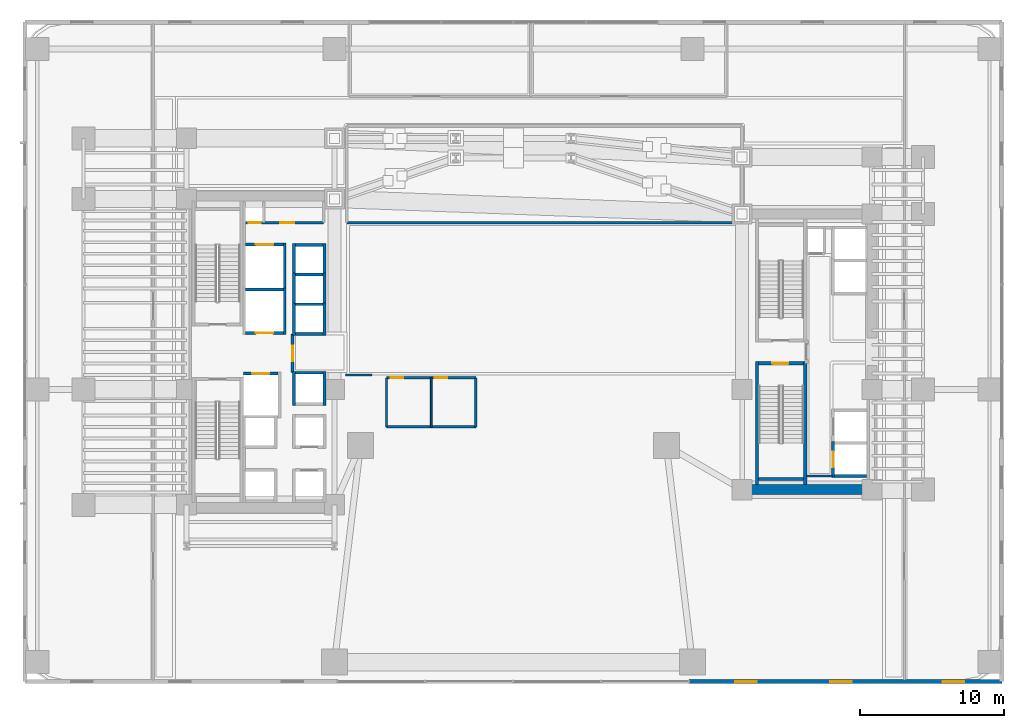
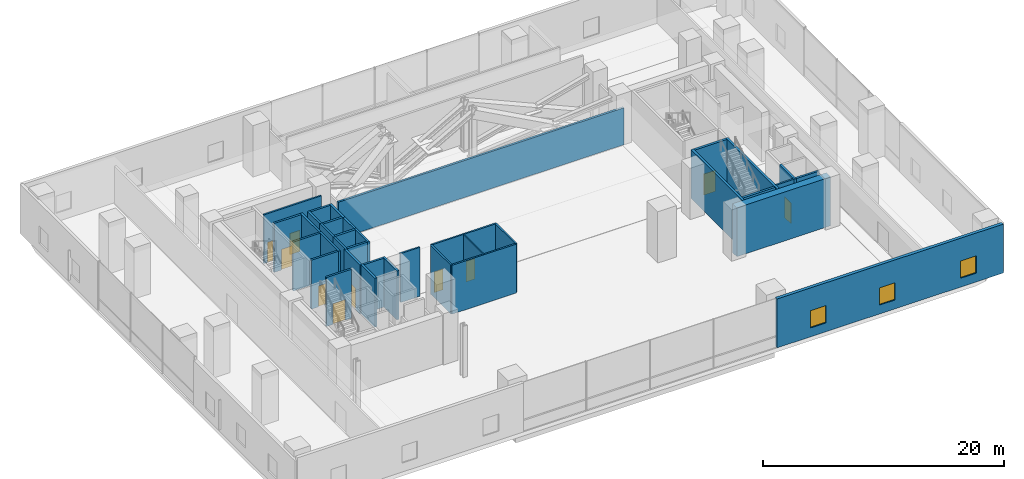
# One storey, part 27 of 41: 37 walls, 10 doors, 3 windows, 13 openings.
"""IFC4 building model written with IfcOpenShell, lengths in metres."""

from ifc_helpers import new_model, si_unit, direction, frame, frame_2d, origin, place, context, subcontext, project, spatial, rectangle, extrude, material, layer, layer_set, type_object, element, fill, save


model = new_model("IFC4")

# Units and contexts
model_context = context("Model", 3, precision=1e-05, world=origin(), true_north=direction((0.0, 1.0)))
body_context = subcontext(model_context, "Body", "Model", "MODEL_VIEW")
ifc_project = project(units=[si_unit("LENGTHUNIT", "METRE"), si_unit("AREAUNIT", "SQUARE_METRE"), si_unit("VOLUMEUNIT", "CUBIC_METRE"), si_unit("PLANEANGLEUNIT", "RADIAN"), si_unit("MASSUNIT", "GRAM", prefix="KILO")], contexts=[model_context])

# Site, building, storey
site_placement = place(None, origin())
site = spatial("IfcSite", under=ifc_project, at=site_placement, CompositionType="ELEMENT")
building_placement = place(site_placement, origin())
building = spatial("IfcBuilding", under=site, at=building_placement, Name="Valdorenza Pilgrim Sanctuary Tower", CompositionType="ELEMENT")
storey_placement = place(building_placement, frame((0.0, 0.0, 20.800048828125)))
storey = spatial("IfcBuildingStorey", under=building, at=storey_placement, Name="L04", CompositionType="ELEMENT", Elevation=20.800048828125)

# Wall, openings, doors
ifc_material_1 = material(Name="Acoustic twin-stud gypsum partition", Category="gypsum")
ifc_layer_1 = layer(ifc_material_1, 0.159912109375, Name="Acoustic twin-stud gypsum partition")
ifc_layer_set_1 = layer_set([ifc_layer_1], Name="Acoustic twin-stud gypsum partition")
wall_type_1 = type_object("IfcWallType", Name="WAL-COR-160", PredefinedType="PARTITIONING", material=ifc_layer_set_1)
wall_1_placement = place(storey_placement, frame((-18.64990234375, 8.949951171875, 0.0), z_axis=(0.0, 0.0, 1.0), x_axis=(1.0, 0.0, 0.0)))
wall_1 = element("IfcWall", 1, at=wall_1_placement, inside=storey, type_object=wall_type_1, Name="L04 Core A North Service South Wall", PredefinedType="PARTITIONING", context=body_context, shape_type="SweptSolid", body=[
    extrude(rectangle(XDim=5.5, YDim=0.159912109375, at=frame_2d((2.75, 0.0))), origin(), (0.0, 0.0, 1.0), 4.9599609375),
])
opening_1_placement = place(wall_1_placement, frame((0.300048828125, 0.0, 0.0)))
opening_1 = element("IfcOpeningElement", 2, at=opening_1_placement, cuts=wall_1, Name="Opening DR-RS1", PredefinedType="OPENING", context=body_context, shape_type="SweptSolid", body=[
    extrude(rectangle(XDim=0.85009765625, YDim=2.050048828125, at=frame_2d((0.425048828125, 1.02490234375))), frame((0.0, 0.0947265625, 0.0), z_axis=(0.0, -1.0, 0.0), x_axis=(1.0, 0.0, 0.0)), (0.0, 0.0, 1.0), 0.189697265625),
])
opening_2_placement = place(wall_1_placement, frame((2.5, 0.0, 0.0)))
opening_2 = element("IfcOpeningElement", 3, at=opening_2_placement, cuts=wall_1, Name="Opening DR-UN1", PredefinedType="OPENING", context=body_context, shape_type="SweptSolid", body=[
    extrude(rectangle(XDim=0.949951171875, YDim=2.14990234375, at=frame_2d((0.47509765625, 1.074951171875))), frame((0.0, 0.0947265625, 0.0), z_axis=(0.0, -1.0, 0.0), x_axis=(1.0, 0.0, 0.0)), (0.0, 0.0, 1.0), 0.189697265625),
])
ifc_material_2 = material(Name="Painted galvanized steel", Category="steel")
door_type_1 = type_object("IfcDoorType", Name="DR-RSR-850", OperationType="NOTDEFINED", PredefinedType="DOOR", material=ifc_material_2)
door_1_placement = place(opening_1_placement, origin())
door_1 = element("IfcDoor", 4, at=door_1_placement, inside=storey, type_object=door_type_1, Name="L04 Core Electrical and Telecom Riser Door", OperationType="SINGLE_SWING_LEFT", OverallHeight=2.050048828125, OverallWidth=0.85009765625, PredefinedType="DOOR", context=body_context, shape_type="SweptSolid", body=[
    extrude(rectangle(XDim=0.85009765625, YDim=2.050048828125, at=frame_2d((0.425048828125, 1.02490234375))), frame((0.0, 0.02490234375, 0.0), z_axis=(0.0, -1.0, 0.0), x_axis=(1.0, 0.0, 0.0)), (0.0, 0.0, 1.0), 0.050048828125),
])
fill(opening_1, door_1)
ifc_material_3 = material(Name="Solid-core European oak timber", Category="wood")
door_type_2 = type_object("IfcDoorType", Name="DR-UNIT-950", OperationType="NOTDEFINED", PredefinedType="DOOR", material=ifc_material_3)
door_2_placement = place(opening_2_placement, origin())
door_2 = element("IfcDoor", 5, at=door_2_placement, inside=storey, type_object=door_type_2, Name="L04 Core Janitor and Maintenance Store Door", OperationType="SINGLE_SWING_RIGHT", OverallHeight=2.14990234375, OverallWidth=0.949951171875, PredefinedType="DOOR", context=body_context, shape_type="SweptSolid", body=[
    extrude(rectangle(XDim=0.949951171875, YDim=2.14990234375, at=frame_2d((0.47509765625, 1.074951171875))), frame((0.0, 0.02490234375, 0.0), z_axis=(0.0, -1.0, 0.0), x_axis=(1.0, 0.0, 0.0)), (0.0, 0.0, 1.0), 0.050048828125),
])
fill(opening_2, door_2)

# Walls
wall_2_placement = place(storey_placement, frame((20.300048828125, -8.60009765625, 0.0), z_axis=(0.0, 0.0, 1.0), x_axis=(1.0, 0.0, 0.0)))
element("IfcWall", 6, at=wall_2_placement, inside=storey, type_object=wall_type_1, Name="L04 Core B Lift Hall South End Wall", PredefinedType="PARTITIONING", context=body_context, shape_type="SweptSolid", body=[
    extrude(rectangle(XDim=1.820068359375, YDim=0.159912109375, at=frame_2d((0.91015625, 0.0))), origin(), (0.0, 0.0, 1.0), 4.9599609375),
])
for number, where, z_axis, x_axis, name in (
    (7, (-8.800048828125, -5.199951171875, 0.0), (0.0, 0.0, 1.0), (0.0, 1.0, 0.0), "L04 Washroom West Wall"),
    (8, (-2.60009765625, -5.199951171875, 0.0), (0.0, 0.0, 1.0), (0.0, 1.0, 0.0), "L04 Washroom East Wall"),
):
    element("IfcWall", number, at=place(storey_placement, frame(where, z_axis=z_axis, x_axis=x_axis)), inside=storey, type_object=wall_type_1, Name=name, PredefinedType="PARTITIONING", context=body_context, shape_type="SweptSolid", body=[
        extrude(rectangle(XDim=3.39990234375, YDim=0.159912109375, at=frame_2d((1.699951171875, 0.0))), origin(), (0.0, 0.0, 1.0), 4.9599609375),
    ])
wall_3_placement = place(storey_placement, frame((-8.800048828125, -5.199951171875, 0.0), z_axis=(0.0, 0.0, 1.0), x_axis=(1.0, 0.0, 0.0)))
element("IfcWall", 9, at=wall_3_placement, inside=storey, type_object=wall_type_1, Name="L04 Washroom South Wall", PredefinedType="PARTITIONING", context=body_context, shape_type="SweptSolid", body=[
    extrude(rectangle(XDim=6.199951171875, YDim=0.159912109375, at=frame_2d((3.10009765625, 0.0))), origin(), (0.0, 0.0, 1.0), 4.9599609375),
])

# Wall, openings, doors
wall_4_placement = place(storey_placement, frame((-8.800048828125, -1.800048828125, 0.0), z_axis=(0.0, 0.0, 1.0), x_axis=(1.0, 0.0, 0.0)))
wall_4 = element("IfcWall", 10, at=wall_4_placement, inside=storey, type_object=wall_type_1, Name="L04 Washroom North Wall", PredefinedType="PARTITIONING", context=body_context, shape_type="SweptSolid", body=[
    extrude(rectangle(XDim=6.199951171875, YDim=0.159912109375, at=frame_2d((3.10009765625, 0.0))), origin(), (0.0, 0.0, 1.0), 4.9599609375),
])
opening_3_placement = place(wall_4_placement, frame((0.300048828125, 0.0, 0.0)))
opening_3 = element("IfcOpeningElement", 11, at=opening_3_placement, cuts=wall_4, Name="Opening DR-WC1", PredefinedType="OPENING", context=body_context, shape_type="SweptSolid", body=[
    extrude(rectangle(XDim=0.85009765625, YDim=2.10009765625, at=frame_2d((0.425048828125, 1.050048828125))), frame((0.0, 0.0947265625, 0.0), z_axis=(0.0, -1.0, 0.0), x_axis=(1.0, 0.0, 0.0)), (0.0, 0.0, 1.0), 0.189697265625),
])
opening_4_placement = place(wall_4_placement, frame((3.35009765625, 0.0, 0.0)))
opening_4 = element("IfcOpeningElement", 12, at=opening_4_placement, cuts=wall_4, Name="Opening DR-WC1", PredefinedType="OPENING", context=body_context, shape_type="SweptSolid", body=[
    extrude(rectangle(XDim=0.85009765625, YDim=2.10009765625, at=frame_2d((0.425048828125, 1.050048828125))), frame((0.0, 0.0947265625, 0.0), z_axis=(0.0, -1.0, 0.0), x_axis=(1.0, 0.0, 0.0)), (0.0, 0.0, 1.0), 0.189697265625),
])
ifc_material_4 = material(Name="Moisture-resistant lacquered timber", Category="wood")
door_type_3 = type_object("IfcDoorType", Name="DR-BATH-850", OperationType="NOTDEFINED", PredefinedType="DOOR", material=ifc_material_4)
door_3_placement = place(opening_3_placement, origin())
door_3 = element("IfcDoor", 13, at=door_3_placement, inside=storey, type_object=door_type_3, Name="L04 Accessible Washroom Door", OperationType="SINGLE_SWING_LEFT", OverallHeight=2.10009765625, OverallWidth=0.85009765625, PredefinedType="DOOR", context=body_context, shape_type="SweptSolid", body=[
    extrude(rectangle(XDim=0.85009765625, YDim=2.10009765625, at=frame_2d((0.425048828125, 1.050048828125))), frame((0.0, 0.02490234375, 0.0), z_axis=(0.0, -1.0, 0.0), x_axis=(1.0, 0.0, 0.0)), (0.0, 0.0, 1.0), 0.050048828125),
])
fill(opening_3, door_3)
door_4_placement = place(opening_4_placement, origin())
door_4 = element("IfcDoor", 14, at=door_4_placement, inside=storey, type_object=door_type_3, Name="L04 Public Washroom Door", OperationType="SINGLE_SWING_RIGHT", OverallHeight=2.10009765625, OverallWidth=0.85009765625, PredefinedType="DOOR", context=body_context, shape_type="SweptSolid", body=[
    extrude(rectangle(XDim=0.85009765625, YDim=2.10009765625, at=frame_2d((0.425048828125, 1.050048828125))), frame((0.0, 0.02490234375, 0.0), z_axis=(0.0, -1.0, 0.0), x_axis=(1.0, 0.0, 0.0)), (0.0, 0.0, 1.0), 0.050048828125),
])
fill(opening_4, door_4)

# Walls
wall_5_placement = place(storey_placement, frame((-11.64990234375, -1.60009765625, 0.0), z_axis=(0.0, 0.0, 1.0), x_axis=(1.0, 0.0, 0.0)))
element("IfcWall", 15, at=wall_5_placement, inside=storey, type_object=wall_type_1, Name="L04 L04 Concourse South Closure", PredefinedType="PARTITIONING", context=body_context, shape_type="SweptSolid", body=[
    extrude(rectangle(XDim=1.849853515625, YDim=0.159912109375, at=frame_2d((0.9248046875, 0.0))), origin(), (0.0, 0.0, 1.0), 4.9599609375),
])
ifc_material_5 = material(Name="Concrete C60/75", Category="concrete")
ifc_layer_2 = layer(ifc_material_5, 0.699951171875, Name="Concrete C60/75")
ifc_layer_set_2 = layer_set([ifc_layer_2], Name="Concrete C60/75")
wall_type_2 = type_object("IfcWallType", Name="WAL-COR-700", PredefinedType="SHEAR", material=ifc_layer_set_2)
wall_6_placement = place(storey_placement, frame((15.85009765625, -9.550048828125, 0.0), z_axis=(0.0, 0.0, 1.0), x_axis=(1.0, 0.0, 0.0)))
element("IfcWall", 16, at=wall_6_placement, inside=storey, type_object=wall_type_2, Name="L04 Split Core B Shear Wall S", PredefinedType="SHEAR", context=body_context, shape_type="SweptSolid", body=[
    extrude(rectangle(XDim=9.0, YDim=0.699951171875, at=frame_2d((4.5, 0.0))), origin(), (0.0, 0.0, 1.0), 4.9599609375),
])

# Wall, openings, windows
ifc_material_6 = material(Name="Honed travertine limestone", Category="masonry")
ifc_layer_3 = layer(ifc_material_6, 0.300048828125, Name="Honed travertine limestone")
ifc_layer_set_3 = layer_set([ifc_layer_3], Name="Honed travertine limestone")
wall_type_3 = type_object("IfcWallType", Name="WAL-EXT-300", PredefinedType="SOLIDWALL", material=ifc_layer_set_3)
wall_7_placement = place(storey_placement, frame((12.159912109375, -22.85009765625, 0.0), z_axis=(0.0, 0.0, 1.0), x_axis=(1.0, 0.0, 0.0)))
wall_7 = element("IfcWall", 17, at=wall_7_placement, inside=storey, type_object=wall_type_3, Name="L04 Podium Honed Travertine Stone Wall S-E", PredefinedType="SOLIDWALL", context=body_context, shape_type="SweptSolid", body=[
    extrude(rectangle(XDim=21.690185546875, YDim=0.300048828125, at=frame_2d((10.84521484375, 0.0))), origin(), (0.0, 0.0, 1.0), 4.9599609375),
])
opening_5_placement = place(wall_7_placement, frame((3.199951171875, 0.0, 0.89990234375)))
opening_5 = element("IfcOpeningElement", 18, at=opening_5_placement, cuts=wall_7, Name="Opening WN-VS1", PredefinedType="OPENING", context=body_context, shape_type="SweptSolid", body=[
    extrude(rectangle(XDim=1.5, YDim=1.75, at=frame_2d((0.75, 0.875))), frame((0.0, 0.1650390625, 0.0), z_axis=(0.0, -1.0, 0.0), x_axis=(1.0, 0.0, 0.0)), (0.0, 0.0, 1.0), 0.329833984375),
])
opening_6_placement = place(wall_7_placement, frame((9.800048828125, 0.0, 0.89990234375)))
opening_6 = element("IfcOpeningElement", 19, at=opening_6_placement, cuts=wall_7, Name="Opening WN-VS1", PredefinedType="OPENING", context=body_context, shape_type="SweptSolid", body=[
    extrude(rectangle(XDim=1.5, YDim=1.75, at=frame_2d((0.75, 0.875))), frame((0.0, 0.1650390625, 0.0), z_axis=(0.0, -1.0, 0.0), x_axis=(1.0, 0.0, 0.0)), (0.0, 0.0, 1.0), 0.329833984375),
])
opening_7_placement = place(wall_7_placement, frame((17.60009765625, 0.0, 0.89990234375)))
opening_7 = element("IfcOpeningElement", 20, at=opening_7_placement, cuts=wall_7, Name="Opening WN-VS1", PredefinedType="OPENING", context=body_context, shape_type="SweptSolid", body=[
    extrude(rectangle(XDim=1.5, YDim=1.75, at=frame_2d((0.75, 0.875))), frame((0.0, 0.1650390625, 0.0), z_axis=(0.0, -1.0, 0.0), x_axis=(1.0, 0.0, 0.0)), (0.0, 0.0, 1.0), 0.329833984375),
])
ifc_material_7 = material(Name="Ceramic-fritted low-E IGU glazing", Category="glass")
window_type = type_object("IfcWindowType", Name="WIN-VIS-1500", PartitioningType="SINGLE_PANEL", PredefinedType="WINDOW", material=ifc_material_7)
window_1_placement = place(opening_5_placement, origin())
window_1 = element("IfcWindow", 21, at=window_1_placement, inside=storey, type_object=window_type, Name="L04 Podium Stone Vision Window S-E-1", OverallHeight=1.75, OverallWidth=1.5, PartitioningType="SINGLE_PANEL", PredefinedType="WINDOW", context=body_context, shape_type="SweptSolid", body=[
    extrude(rectangle(XDim=1.5, YDim=1.75, at=frame_2d((0.75, 0.875))), frame((0.0, 0.030029296875, 0.0), z_axis=(0.0, -1.0, 0.0), x_axis=(1.0, 0.0, 0.0)), (0.0, 0.0, 1.0), 0.06005859375),
])
fill(opening_5, window_1)
window_2_placement = place(opening_6_placement, origin())
window_2 = element("IfcWindow", 22, at=window_2_placement, inside=storey, type_object=window_type, Name="L04 Podium Stone Vision Window S-E-2", OverallHeight=1.75, OverallWidth=1.5, PartitioningType="SINGLE_PANEL", PredefinedType="WINDOW", context=body_context, shape_type="SweptSolid", body=[
    extrude(rectangle(XDim=1.5, YDim=1.75, at=frame_2d((0.75, 0.875))), frame((0.0, 0.030029296875, 0.0), z_axis=(0.0, -1.0, 0.0), x_axis=(1.0, 0.0, 0.0)), (0.0, 0.0, 1.0), 0.06005859375),
])
fill(opening_6, window_2)
window_3_placement = place(opening_7_placement, origin())
window_3 = element("IfcWindow", 23, at=window_3_placement, inside=storey, type_object=window_type, Name="L04 Podium Stone Vision Window S-E-3", OverallHeight=1.75, OverallWidth=1.5, PartitioningType="SINGLE_PANEL", PredefinedType="WINDOW", context=body_context, shape_type="SweptSolid", body=[
    extrude(rectangle(XDim=1.5, YDim=1.75, at=frame_2d((0.75, 0.875))), frame((0.0, 0.030029296875, 0.0), z_axis=(0.0, -1.0, 0.0), x_axis=(1.0, 0.0, 0.0)), (0.0, 0.0, 1.0), 0.06005859375),
])
fill(opening_7, window_3)

# Wall, opening, door
ifc_material_8 = material(Name="Gypsum shaftwall partition", Category="gypsum")
ifc_layer_4 = layer(ifc_material_8, 0.199951171875, Name="Gypsum shaftwall partition")
ifc_layer_set_4 = layer_set([ifc_layer_4], Name="Gypsum shaftwall partition")
wall_type_4 = type_object("IfcWallType", Name="WAL-FFL-200", PredefinedType="PARTITIONING", material=ifc_layer_set_4)
wall_8_placement = place(storey_placement, frame((-15.300048828125, -1.419921875, 0.0), z_axis=(0.0, 0.0, 1.0), x_axis=(0.0, 1.0, 0.0)))
wall_8 = element("IfcWall", 24, at=wall_8_placement, inside=storey, type_object=wall_type_4, Name="L04 Core A Firefighting Lobby East Wall", PredefinedType="PARTITIONING", context=body_context, shape_type="SweptSolid", body=[
    extrude(rectangle(XDim=2.669921875, YDim=0.199951171875, at=frame_2d((1.3349609375, 0.0))), origin(), (0.0, 0.0, 1.0), 4.9599609375),
])
opening_8_placement = place(wall_8_placement, frame((0.780029296875, 0.0, 0.0)))
opening_8 = element("IfcOpeningElement", 25, at=opening_8_placement, cuts=wall_8, Name="Opening DR-FL1", PredefinedType="OPENING", context=body_context, shape_type="SweptSolid", body=[
    extrude(rectangle(XDim=1.050048828125, YDim=2.14990234375, at=frame_2d((0.52490234375, 1.074951171875))), frame((0.0, 0.11474609375, 0.0), z_axis=(0.0, -1.0, 0.0), x_axis=(1.0, 0.0, 0.0)), (0.0, 0.0, 1.0), 0.229736328125),
])
door_type_4 = type_object("IfcDoorType", Name="DR-FFL-1050", OperationType="NOTDEFINED", PredefinedType="DOOR", material=ifc_material_2)
door_5_placement = place(opening_8_placement, origin())
door_5 = element("IfcDoor", 26, at=door_5_placement, inside=storey, type_object=door_type_4, Name="L04 Core A Firefighting Lobby Door", OperationType="SINGLE_SWING_RIGHT", OverallHeight=2.14990234375, OverallWidth=1.050048828125, PredefinedType="DOOR", context=body_context, shape_type="SweptSolid", body=[
    extrude(rectangle(XDim=1.050048828125, YDim=2.14990234375, at=frame_2d((0.52490234375, 1.074951171875))), frame((0.0, 0.02490234375, 0.0), z_axis=(0.0, -1.0, 0.0), x_axis=(1.0, 0.0, 0.0)), (0.0, 0.0, 1.0), 0.050048828125),
])
fill(opening_8, door_5)

# Walls
wall_9_placement = place(storey_placement, frame((-11.550048828125, 8.949951171875, 0.0), z_axis=(0.0, 0.0, 1.0), x_axis=(1.0, 0.0, 0.0)))
element("IfcWall", 27, at=wall_9_placement, inside=storey, type_object=wall_type_4, Name="L04 L04 Transfer Truss South Wall", PredefinedType="PARTITIONING", context=body_context, shape_type="SweptSolid", body=[
    extrude(rectangle(XDim=27.400146484375, YDim=0.199951171875, at=frame_2d((13.7001953125, 0.0))), origin(), (0.0, 0.0, 1.0), 3.744873046875),
])
ifc_material_9 = material(Name="Moisture-resistant gypsum partition", Category="gypsum")
ifc_layer_5 = layer(ifc_material_9, 0.1201171875, Name="Moisture-resistant gypsum partition")
ifc_layer_set_5 = layer_set([ifc_layer_5], Name="Moisture-resistant gypsum partition")
wall_type_5 = type_object("IfcWallType", Name="WAL-INT-120", PredefinedType="PARTITIONING", material=ifc_layer_set_5)
wall_10_placement = place(storey_placement, frame((-5.699951171875, -5.199951171875, 0.0), z_axis=(0.0, 0.0, 1.0), x_axis=(0.0, 1.0, 0.0)))
element("IfcWall", 28, at=wall_10_placement, inside=storey, type_object=wall_type_5, Name="L04 Washroom Divider Wall", PredefinedType="PARTITIONING", context=body_context, shape_type="SweptSolid", body=[
    extrude(rectangle(XDim=3.39990234375, YDim=0.1201171875, at=frame_2d((1.699951171875, 0.0))), origin(), (0.0, 0.0, 1.0), 4.9599609375),
])
ifc_material_10 = material(Name="Autoclaved aerated concrete blockwork", Category="masonry")
ifc_layer_6 = layer(ifc_material_10, 0.199951171875, Name="Autoclaved aerated concrete blockwork")
ifc_layer_set_6 = layer_set([ifc_layer_6], Name="Autoclaved aerated concrete blockwork")
wall_type_6 = type_object("IfcWallType", Name="WAL-SHF-200", PredefinedType="MOVABLE", material=ifc_layer_set_6)
wall_11_placement = place(storey_placement, frame((-15.85009765625, 1.199951171875, 0.0), z_axis=(0.0, 0.0, 1.0), x_axis=(0.0, 1.0, 0.0)))
element("IfcWall", 29, at=wall_11_placement, inside=storey, type_object=wall_type_6, Name="L04 Lift FFL-01 Hoistway Wall East", PredefinedType="MOVABLE", context=body_context, shape_type="SweptSolid", body=[
    extrude(rectangle(XDim=3.22509765625, YDim=0.199951171875, at=frame_2d((1.612548828125, 0.0))), origin(), (0.0, 0.0, 1.0), 4.9599609375),
])

# Wall, opening, door
wall_12_placement = place(storey_placement, frame((-18.550048828125, 1.300048828125, 0.0), z_axis=(0.0, 0.0, 1.0), x_axis=(1.0, 0.0, 0.0)))
wall_12 = element("IfcWall", 30, at=wall_12_placement, inside=storey, type_object=wall_type_6, Name="L04 Lift FFL-01 Hoistway Wall South", PredefinedType="MOVABLE", context=body_context, shape_type="SweptSolid", body=[
    extrude(rectangle(XDim=2.60009765625, YDim=0.199951171875, at=frame_2d((1.300048828125, 0.0))), origin(), (0.0, 0.0, 1.0), 4.9599609375),
])
opening_9_placement = place(wall_12_placement, frame((0.699951171875, 0.0, 0.0)))
opening_9 = element("IfcOpeningElement", 31, at=opening_9_placement, cuts=wall_12, Name="Opening LD-02", PredefinedType="OPENING", context=body_context, shape_type="SweptSolid", body=[
    extrude(rectangle(XDim=1.199951171875, YDim=2.10009765625, at=frame_2d((0.60009765625, 1.050048828125))), frame((0.0, 0.11474609375, 0.0), z_axis=(0.0, -1.0, 0.0), x_axis=(1.0, 0.0, 0.0)), (0.0, 0.0, 1.0), 0.229736328125),
])
ifc_material_11 = material(Name="Brushed stainless steel Grade 316", Category="steel")
door_type_5 = type_object("IfcDoorType", Name="DR-LFT-1200", OperationType="DOUBLE_DOOR_SLIDING", PredefinedType="DOOR", material=ifc_material_11)
door_6_placement = place(opening_9_placement, origin())
door_6 = element("IfcDoor", 32, at=door_6_placement, inside=storey, type_object=door_type_5, Name="L04 Lift FFL-01 Sliding Landing Door", OperationType="DOUBLE_DOOR_SLIDING", OverallHeight=2.10009765625, OverallWidth=1.199951171875, PredefinedType="DOOR", context=body_context, shape_type="SweptSolid", body=[
    extrude(rectangle(XDim=1.199951171875, YDim=2.10009765625, at=frame_2d((0.60009765625, 1.050048828125))), frame((0.0, 0.02490234375, 0.0), z_axis=(0.0, -1.0, 0.0), x_axis=(1.0, 0.0, 0.0)), (0.0, 0.0, 1.0), 0.050048828125),
])
fill(opening_9, door_6)

# Wall
wall_13_placement = place(storey_placement, frame((-18.550048828125, 4.324951171875, 0.0), z_axis=(0.0, 0.0, 1.0), x_axis=(1.0, 0.0, 0.0)))
element("IfcWall", 33, at=wall_13_placement, inside=storey, type_object=wall_type_6, Name="L04 Lift FFL-01 Hoistway Wall North", PredefinedType="MOVABLE", context=body_context, shape_type="SweptSolid", body=[
    extrude(rectangle(XDim=2.60009765625, YDim=0.199951171875, at=frame_2d((1.300048828125, 0.0))), origin(), (0.0, 0.0, 1.0), 4.9599609375),
])

# Wall, opening, door
wall_14_placement = place(storey_placement, frame((-18.719970703125, -1.5, 0.0), z_axis=(0.0, 0.0, 1.0), x_axis=(1.0, 0.0, 0.0)))
wall_14 = element("IfcWall", 34, at=wall_14_placement, inside=storey, type_object=wall_type_6, Name="L04 Lift FFL-02 Hoistway Wall North", PredefinedType="MOVABLE", context=body_context, shape_type="SweptSolid", body=[
    extrude(rectangle(XDim=2.419921875, YDim=0.199951171875, at=frame_2d((1.2099609375, 0.0))), origin(), (0.0, 0.0, 1.0), 4.9599609375),
])
opening_10_placement = place(wall_14_placement, frame((0.610107421875, 0.0, 0.0)))
opening_10 = element("IfcOpeningElement", 35, at=opening_10_placement, cuts=wall_14, Name="Opening LD-02", PredefinedType="OPENING", context=body_context, shape_type="SweptSolid", body=[
    extrude(rectangle(XDim=1.199951171875, YDim=2.10009765625, at=frame_2d((0.60009765625, 1.050048828125))), frame((0.0, 0.11474609375, 0.0), z_axis=(0.0, -1.0, 0.0), x_axis=(1.0, 0.0, 0.0)), (0.0, 0.0, 1.0), 0.229736328125),
])
door_7_placement = place(opening_10_placement, origin())
door_7 = element("IfcDoor", 36, at=door_7_placement, inside=storey, type_object=door_type_5, Name="L04 Lift FFL-02 Sliding Landing Door", OperationType="DOUBLE_DOOR_SLIDING", OverallHeight=2.10009765625, OverallWidth=1.199951171875, PredefinedType="DOOR", context=body_context, shape_type="SweptSolid", body=[
    extrude(rectangle(XDim=1.199951171875, YDim=2.10009765625, at=frame_2d((0.60009765625, 1.050048828125))), frame((0.0, 0.02490234375, 0.0), z_axis=(0.0, -1.0, 0.0), x_axis=(1.0, 0.0, 0.0)), (0.0, 0.0, 1.0), 0.050048828125),
])
fill(opening_10, door_7)

# Wall
wall_15_placement = place(storey_placement, frame((-15.85009765625, 4.22509765625, 0.0), z_axis=(0.0, 0.0, 1.0), x_axis=(0.0, 1.0, 0.0)))
element("IfcWall", 37, at=wall_15_placement, inside=storey, type_object=wall_type_6, Name="L04 Lift SVL-01 Hoistway Wall East", PredefinedType="MOVABLE", context=body_context, shape_type="SweptSolid", body=[
    extrude(rectangle(XDim=3.324951171875, YDim=0.199951171875, at=frame_2d((1.66259765625, 0.0))), origin(), (0.0, 0.0, 1.0), 4.9599609375),
])

# Wall, opening, door
wall_16_placement = place(storey_placement, frame((-18.550048828125, 7.449951171875, 0.0), z_axis=(0.0, 0.0, 1.0), x_axis=(1.0, 0.0, 0.0)))
wall_16 = element("IfcWall", 38, at=wall_16_placement, inside=storey, type_object=wall_type_6, Name="L04 Lift SVL-01 Hoistway Wall North", PredefinedType="MOVABLE", context=body_context, shape_type="SweptSolid", body=[
    extrude(rectangle(XDim=2.60009765625, YDim=0.199951171875, at=frame_2d((1.300048828125, 0.0))), origin(), (0.0, 0.0, 1.0), 4.9599609375),
])
opening_11_placement = place(wall_16_placement, frame((0.699951171875, 0.0, 0.0)))
opening_11 = element("IfcOpeningElement", 39, at=opening_11_placement, cuts=wall_16, Name="Opening LD-02", PredefinedType="OPENING", context=body_context, shape_type="SweptSolid", body=[
    extrude(rectangle(XDim=1.199951171875, YDim=2.10009765625, at=frame_2d((0.60009765625, 1.050048828125))), frame((0.0, 0.11474609375, 0.0), z_axis=(0.0, -1.0, 0.0), x_axis=(1.0, 0.0, 0.0)), (0.0, 0.0, 1.0), 0.229736328125),
])
door_8_placement = place(opening_11_placement, origin())
door_8 = element("IfcDoor", 40, at=door_8_placement, inside=storey, type_object=door_type_5, Name="L04 Lift SVL-01 Sliding Landing Door", OperationType="DOUBLE_DOOR_SLIDING", OverallHeight=2.10009765625, OverallWidth=1.199951171875, PredefinedType="DOOR", context=body_context, shape_type="SweptSolid", body=[
    extrude(rectangle(XDim=1.199951171875, YDim=2.10009765625, at=frame_2d((0.60009765625, 1.050048828125))), frame((0.0, 0.02490234375, 0.0), z_axis=(0.0, -1.0, 0.0), x_axis=(1.0, 0.0, 0.0)), (0.0, 0.0, 1.0), 0.050048828125),
])
fill(opening_11, door_8)

wall_17_placement = place(storey_placement, frame((22.14990234375, -8.699951171875, 0.0), z_axis=(0.0, 0.0, 1.0), x_axis=(0.0, 1.0, 0.0)))
wall_17 = element("IfcWall", 41, at=wall_17_placement, inside=storey, type_object=wall_type_6, Name="L04 Lift PL-03 Hoistway Wall West", PredefinedType="MOVABLE", context=body_context, shape_type="SweptSolid", body=[
    extrude(rectangle(XDim=2.474853515625, YDim=0.199951171875, at=frame_2d((1.2373046875, 0.0))), origin(), (0.0, 0.0, 1.0), 4.9599609375),
])
opening_12_placement = place(wall_17_placement, frame((0.6875, 0.0, 0.0)))
opening_12 = element("IfcOpeningElement", 42, at=opening_12_placement, cuts=wall_17, Name="Opening LD-01", PredefinedType="OPENING", context=body_context, shape_type="SweptSolid", body=[
    extrude(rectangle(XDim=1.10009765625, YDim=2.10009765625, at=frame_2d((0.550048828125, 1.050048828125))), frame((0.0, 0.11474609375, 0.0), z_axis=(0.0, -1.0, 0.0), x_axis=(1.0, 0.0, 0.0)), (0.0, 0.0, 1.0), 0.229736328125),
])
door_type_6 = type_object("IfcDoorType", Name="DR-LFT-1100", OperationType="DOUBLE_DOOR_SLIDING", PredefinedType="DOOR", material=ifc_material_11)
door_9_placement = place(opening_12_placement, origin())
door_9 = element("IfcDoor", 43, at=door_9_placement, inside=storey, type_object=door_type_6, Name="L04 Lift PL-03 Sliding Landing Door", OperationType="DOUBLE_DOOR_SLIDING", OverallHeight=2.10009765625, OverallWidth=1.10009765625, PredefinedType="DOOR", context=body_context, shape_type="SweptSolid", body=[
    extrude(rectangle(XDim=1.10009765625, YDim=2.10009765625, at=frame_2d((0.550048828125, 1.050048828125))), frame((0.0, 0.02490234375, 0.0), z_axis=(0.0, -1.0, 0.0), x_axis=(1.0, 0.0, 0.0)), (0.0, 0.0, 1.0), 0.050048828125),
])
fill(opening_12, door_9)

# Walls
wall_18_placement = place(storey_placement, frame((22.25, -8.60009765625, 0.0), z_axis=(0.0, 0.0, 1.0), x_axis=(1.0, 0.0, 0.0)))
element("IfcWall", 44, at=wall_18_placement, inside=storey, type_object=wall_type_6, Name="L04 Lift PL-03 Hoistway Wall South", PredefinedType="MOVABLE", context=body_context, shape_type="SweptSolid", body=[
    extrude(rectangle(XDim=2.22998046875, YDim=0.199951171875, at=frame_2d((1.114990234375, 0.0))), origin(), (0.0, 0.0, 1.0), 4.9599609375),
])
for number, where, z_axis, x_axis, name in (
    (45, (-15.199951171875, 1.14990234375, 0.0), (0.0, 0.0, 1.0), (0.0, 1.0, 0.0), "L04 Lift PL-06 Hoistway Wall West"),
    (46, (-13.080078125, 1.14990234375, 0.0), (0.0, 0.0, 1.0), (0.0, 1.0, 0.0), "L04 Lift PL-06 Hoistway Wall East"),
):
    element("IfcWall", number, at=place(storey_placement, frame(where, z_axis=z_axis, x_axis=x_axis)), inside=storey, type_object=wall_type_6, Name=name, PredefinedType="MOVABLE", context=body_context, shape_type="SweptSolid", body=[
        extrude(rectangle(XDim=2.25, YDim=0.199951171875, at=frame_2d((1.125, 0.0))), origin(), (0.0, 0.0, 1.0), 4.9599609375),
    ])
wall_19_placement = place(storey_placement, frame((-15.10009765625, 1.25, 0.0), z_axis=(0.0, 0.0, 1.0), x_axis=(1.0, 0.0, 0.0)))
element("IfcWall", 47, at=wall_19_placement, inside=storey, type_object=wall_type_6, Name="L04 Lift PL-06 Hoistway Wall South", PredefinedType="MOVABLE", context=body_context, shape_type="SweptSolid", body=[
    extrude(rectangle(XDim=1.920166015625, YDim=0.199951171875, at=frame_2d((0.9599609375, 0.0))), origin(), (0.0, 0.0, 1.0), 4.9599609375),
])
for number, where, z_axis, x_axis, name in (
    (48, (-15.199951171875, 3.199951171875, 0.0), (0.0, 0.0, 1.0), (0.0, 1.0, 0.0), "L04 Lift PL-09 Hoistway Wall West"),
    (49, (-13.080078125, 3.199951171875, 0.0), (0.0, 0.0, 1.0), (0.0, 1.0, 0.0), "L04 Lift PL-09 Hoistway Wall East"),
):
    element("IfcWall", number, at=place(storey_placement, frame(where, z_axis=z_axis, x_axis=x_axis)), inside=storey, type_object=wall_type_6, Name=name, PredefinedType="MOVABLE", context=body_context, shape_type="SweptSolid", body=[
        extrude(rectangle(XDim=2.25, YDim=0.199951171875, at=frame_2d((1.125, 0.0))), origin(), (0.0, 0.0, 1.0), 4.9599609375),
    ])
for number, where, z_axis, x_axis, name in (
    (50, (-15.10009765625, 3.300048828125, 0.0), (0.0, 0.0, 1.0), (1.0, 0.0, 0.0), "L04 Lift PL-09 Hoistway Wall South"),
    (51, (-15.10009765625, 5.35009765625, 0.0), (0.0, 0.0, 1.0), (1.0, 0.0, 0.0), "L04 Lift PL-09 Hoistway Wall North"),
):
    element("IfcWall", number, at=place(storey_placement, frame(where, z_axis=z_axis, x_axis=x_axis)), inside=storey, type_object=wall_type_6, Name=name, PredefinedType="MOVABLE", context=body_context, shape_type="SweptSolid", body=[
        extrude(rectangle(XDim=1.920166015625, YDim=0.199951171875, at=frame_2d((0.9599609375, 0.0))), origin(), (0.0, 0.0, 1.0), 4.9599609375),
    ])
for number, where, z_axis, x_axis, name in (
    (52, (-15.199951171875, 5.25, 0.0), (0.0, 0.0, 1.0), (0.0, 1.0, 0.0), "L04 Lift PL-10 Hoistway Wall West"),
    (53, (-13.080078125, 5.25, 0.0), (0.0, 0.0, 1.0), (0.0, 1.0, 0.0), "L04 Lift PL-10 Hoistway Wall East"),
):
    element("IfcWall", number, at=place(storey_placement, frame(where, z_axis=z_axis, x_axis=x_axis)), inside=storey, type_object=wall_type_6, Name=name, PredefinedType="MOVABLE", context=body_context, shape_type="SweptSolid", body=[
        extrude(rectangle(XDim=2.25, YDim=0.199951171875, at=frame_2d((1.125, 0.0))), origin(), (0.0, 0.0, 1.0), 4.9599609375),
    ])
wall_20_placement = place(storey_placement, frame((-15.10009765625, 7.39990234375, 0.0), z_axis=(0.0, 0.0, 1.0), x_axis=(1.0, 0.0, 0.0)))
element("IfcWall", 54, at=wall_20_placement, inside=storey, type_object=wall_type_6, Name="L04 Lift PL-10 Hoistway Wall North", PredefinedType="MOVABLE", context=body_context, shape_type="SweptSolid", body=[
    extrude(rectangle(XDim=1.920166015625, YDim=0.199951171875, at=frame_2d((0.9599609375, 0.0))), origin(), (0.0, 0.0, 1.0), 4.9599609375),
])
for number, where, z_axis, x_axis, name in (
    (55, (-15.199951171875, -3.699951171875, 0.0), (0.0, 0.0, 1.0), (0.0, 1.0, 0.0), "L04 Lift PL-12 Hoistway Wall West"),
    (56, (-13.080078125, -3.699951171875, 0.0), (0.0, 0.0, 1.0), (0.0, 1.0, 0.0), "L04 Lift PL-12 Hoistway Wall East"),
):
    element("IfcWall", number, at=place(storey_placement, frame(where, z_axis=z_axis, x_axis=x_axis)), inside=storey, type_object=wall_type_6, Name=name, PredefinedType="MOVABLE", context=body_context, shape_type="SweptSolid", body=[
        extrude(rectangle(XDim=2.349853515625, YDim=0.199951171875, at=frame_2d((1.1748046875, 0.0))), origin(), (0.0, 0.0, 1.0), 4.9599609375),
    ])
wall_21_placement = place(storey_placement, frame((-15.10009765625, -1.449951171875, 0.0), z_axis=(0.0, 0.0, 1.0), x_axis=(1.0, 0.0, 0.0)))
element("IfcWall", 57, at=wall_21_placement, inside=storey, type_object=wall_type_6, Name="L04 Lift PL-12 Hoistway Wall North", PredefinedType="MOVABLE", context=body_context, shape_type="SweptSolid", body=[
    extrude(rectangle(XDim=1.920166015625, YDim=0.199951171875, at=frame_2d((0.9599609375, 0.0))), origin(), (0.0, 0.0, 1.0), 4.9599609375),
])
ifc_material_12 = material(Name="Concrete C40/50", Category="concrete")
ifc_layer_7 = layer(ifc_material_12, 0.219970703125, Name="Concrete C40/50")
ifc_layer_set_7 = layer_set([ifc_layer_7], Name="Concrete C40/50")
wall_type_7 = type_object("IfcWallType", Name="WAL-STR-SHF-220", PredefinedType="SHEAR", material=ifc_layer_set_7)
for number, where, z_axis, x_axis, name in (
    (58, (16.889892578125, -9.199951171875, 0.0), (0.0, 0.0, 1.0), (0.0, 1.0, 0.0), "L04 ST-B2 Structural Stairwell Wall W"),
    (59, (20.219970703125, -9.199951171875, 0.0), (0.0, 0.0, 1.0), (0.0, 1.0, 0.0), "L04 ST-B2 Structural Stairwell Wall E"),
):
    element("IfcWall", number, at=place(storey_placement, frame(where, z_axis=z_axis, x_axis=x_axis)), inside=storey, type_object=wall_type_7, Name=name, PredefinedType="SHEAR", context=body_context, shape_type="SweptSolid", body=[
        extrude(rectangle(XDim=8.52001953125, YDim=0.219970703125, at=frame_2d((4.260009765625, 0.0))), origin(), (0.0, 0.0, 1.0), 4.9599609375),
    ])
wall_22_placement = place(storey_placement, frame((17.0, -8.81005859375, 0.0), z_axis=(0.0, 0.0, 1.0), x_axis=(1.0, 0.0, 0.0)))
element("IfcWall", 60, at=wall_22_placement, inside=storey, type_object=wall_type_7, Name="L04 ST-B2 Structural Stairwell Wall S", PredefinedType="SHEAR", context=body_context, shape_type="SweptSolid", body=[
    extrude(rectangle(XDim=3.110107421875, YDim=0.219970703125, at=frame_2d((1.55517578125, 0.0))), origin(), (0.0, 0.0, 1.0), 4.9599609375),
])

# Wall, opening, door
wall_23_placement = place(storey_placement, frame((17.0, -0.7900390625, 0.0), z_axis=(0.0, 0.0, 1.0), x_axis=(1.0, 0.0, 0.0)))
wall_23 = element("IfcWall", 61, at=wall_23_placement, inside=storey, type_object=wall_type_7, Name="L04 ST-B2 Structural Stairwell Wall N", PredefinedType="SHEAR", context=body_context, shape_type="SweptSolid", body=[
    extrude(rectangle(XDim=3.110107421875, YDim=0.219970703125, at=frame_2d((1.55517578125, 0.0))), origin(), (0.0, 0.0, 1.0), 4.9599609375),
])
opening_13_placement = place(wall_23_placement, frame((0.949951171875, 0.0, 0.0)))
opening_13 = element("IfcOpeningElement", 62, at=opening_13_placement, cuts=wall_23, Name="Opening DR-ST1", PredefinedType="OPENING", context=body_context, shape_type="SweptSolid", body=[
    extrude(rectangle(XDim=1.10009765625, YDim=2.14990234375, at=frame_2d((0.550048828125, 1.074951171875))), frame((0.0, 0.125, 0.0), z_axis=(0.0, -1.0, 0.0), x_axis=(1.0, 0.0, 0.0)), (0.0, 0.0, 1.0), 0.249755859375),
])
door_type_7 = type_object("IfcDoorType", Name="DR-STAIR-1100", OperationType="NOTDEFINED", PredefinedType="DOOR", material=ifc_material_2)
door_10_placement = place(opening_13_placement, frame((1.10009765625, 0.0, 0.0), z_axis=(0.0, 0.0, 1.0), x_axis=(-1.0, 0.0, 0.0)))
door_10 = element("IfcDoor", 63, at=door_10_placement, inside=storey, type_object=door_type_7, Name="L04 Exit Stair ST-B2 Door", OperationType="SINGLE_SWING_LEFT", OverallHeight=2.14990234375, OverallWidth=1.10009765625, PredefinedType="DOOR", context=body_context, shape_type="SweptSolid", body=[
    extrude(rectangle(XDim=1.10009765625, YDim=2.14990234375, at=frame_2d((0.550048828125, 1.074951171875))), frame((0.0, 0.02490234375, 0.0), z_axis=(0.0, -1.0, 0.0), x_axis=(1.0, 0.0, 0.0)), (0.0, 0.0, 1.0), 0.050048828125),
])
fill(opening_13, door_10)

save(model, "model.ifc")
